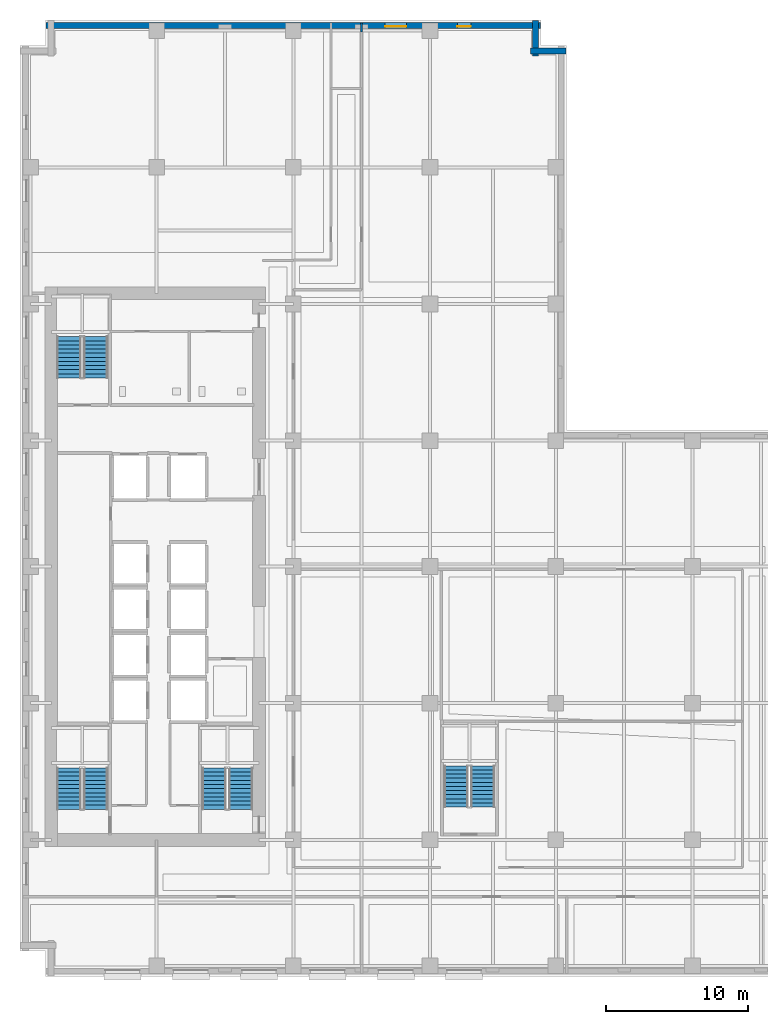
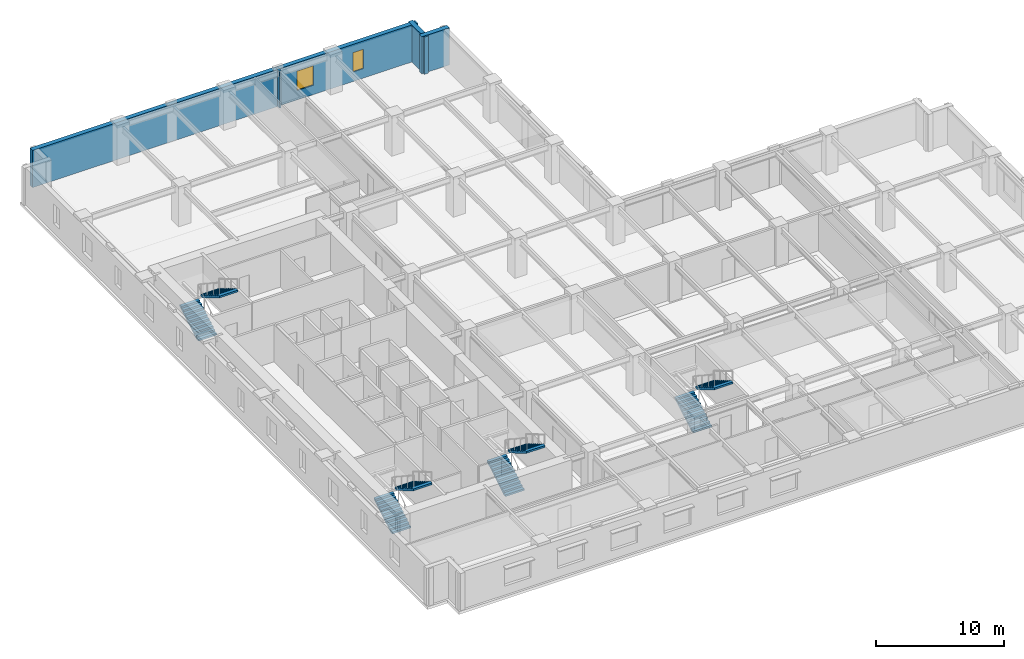
# One storey, part 9 of 14: 8 stair flights, 4 walls, 2 windows, 2 openings, 4 elements without a shape of their own.
"""IFC4 building model written with IfcOpenShell, lengths in metres."""

from ifc_helpers import new_model, si_unit, direction, frame, frame_2d, origin, place, context, subcontext, project, spatial, polyline, rectangle, outline, extrude, material, layer, layer_set, type_object, element, fill, aggregate, save


model = new_model("IFC4")

# Units and contexts
model_context = context("Model", 3, precision=1e-05, world=origin(), true_north=direction((0.0, 1.0)))
body_context = subcontext(model_context, "Body", "Model", "MODEL_VIEW")
ifc_project = project(units=[si_unit("LENGTHUNIT", "METRE"), si_unit("AREAUNIT", "SQUARE_METRE"), si_unit("VOLUMEUNIT", "CUBIC_METRE"), si_unit("PLANEANGLEUNIT", "RADIAN"), si_unit("MASSUNIT", "GRAM", prefix="KILO")], contexts=[model_context])

# Site, building, storey
site_placement = place(None, origin())
site = spatial("IfcSite", under=ifc_project, at=site_placement, CompositionType="ELEMENT")
building_placement = place(site_placement, origin())
building = spatial("IfcBuilding", under=site, at=building_placement, Name="Norrvale University Quadrangle", CompositionType="ELEMENT")
storey_placement = place(building_placement, frame((0.0, 0.0, 73.60009765625)))
storey = spatial("IfcBuildingStorey", under=building, at=storey_placement, Name="L18", CompositionType="ELEMENT", Elevation=73.60009765625)

# Walls
ifc_material_1 = material(Name="Fire-Rated Gypsum Stud Partition")
ifc_layer_1 = layer(ifc_material_1, 0.14990234375, Name="Fire-Rated Gypsum Stud Partition")
ifc_layer_set_1 = layer_set([ifc_layer_1], Name="Fire-Rated Gypsum Stud Partition")
wall_type_1 = type_object("IfcWallType", Name="Wall Gypsum Corridor 150", PredefinedType="PARTITIONING", material=ifc_layer_set_1)
wall_1_placement = place(storey_placement, frame((24.0, 66.343994140625, 0.0), z_axis=(0.0, 0.0, 1.0), x_axis=(0.0, 1.0, 0.0)))
element("IfcWall", 1, at=wall_1_placement, inside=storey, type_object=wall_type_1, Name="Interior Partition WL-L18-NECW-B2", PredefinedType="PARTITIONING", context=body_context, shape_type="SweptSolid", body=[
    extrude(rectangle(XDim=0.635986328125, YDim=0.14990234375, at=frame_2d((0.31787109375, 0.0))), origin(), (0.0, 0.0, 1.0), 3.539794921875),
])
ifc_material_2 = material(Name="Red Manganese Brick Masonry", Category="masonry")
ifc_layer_2 = layer(ifc_material_2, 0.39990234375, Name="Red Manganese Brick Masonry")
ifc_layer_set_2 = layer_set([ifc_layer_2], Name="Red Manganese Brick Masonry")
wall_type_2 = type_object("IfcWallType", Name="Wall Red Brick 400", PredefinedType="SOLIDWALL", material=ifc_layer_set_2)
wall_2_placement = place(storey_placement, frame((38.360107421875, 65.02001953125, 0.0), z_axis=(0.0, 0.0, 1.0), x_axis=(-1.0, 0.0, 0.0)))
element("IfcWall", 2, at=wall_2_placement, inside=storey, type_object=wall_type_2, Name="Exterior Brick Facade Wall L18-09.1", PredefinedType="SOLIDWALL", context=body_context, shape_type="SweptSolid", body=[
    extrude(rectangle(XDim=2.480224609375, YDim=0.39990234375, at=frame_2d((1.240234375, 0.0))), origin(), (0.0, 0.0, 1.0), 3.539794921875),
])
wall_3_placement = place(storey_placement, frame((36.219970703125, 64.679931640625, 0.0), z_axis=(0.0, 0.0, 1.0), x_axis=(0.0, 1.0, 0.0)))
element("IfcWall", 3, at=wall_3_placement, inside=storey, type_object=wall_type_2, Name="Exterior Brick Facade Wall L18-10.1", PredefinedType="SOLIDWALL", context=body_context, shape_type="SweptSolid", body=[
    extrude(rectangle(XDim=2.47998046875, YDim=0.39990234375, at=frame_2d((1.239990234375, 0.0))), origin(), (0.0, 0.0, 1.0), 3.539794921875),
])

# Wall, openings, windows
wall_4_placement = place(storey_placement, frame((36.56005859375, 66.820068359375, 0.0), z_axis=(0.0, 0.0, 1.0), x_axis=(-1.0, 0.0, 0.0)))
wall_4 = element("IfcWall", 4, at=wall_4_placement, inside=storey, type_object=wall_type_2, Name="Exterior Brick Facade Wall L18-11.1", PredefinedType="SOLIDWALL", context=body_context, shape_type="SweptSolid", body=[
    extrude(rectangle(XDim=34.719970703125, YDim=0.39990234375, at=frame_2d((17.35986328125, 0.0))), origin(), (0.0, 0.0, 1.0), 3.539794921875),
])
opening_1_placement = place(wall_4_placement, frame((4.885009765625, 0.0, 0.89990234375)))
opening_1 = element("IfcOpeningElement", 5, at=opening_1_placement, cuts=wall_4, Name="Opening W04", PredefinedType="OPENING", context=body_context, shape_type="SweptSolid", body=[
    extrude(rectangle(XDim=0.949951171875, YDim=1.85009765625, at=frame_2d((0.47509765625, 0.925048828125))), frame((0.0, 0.2119140625, 0.0), z_axis=(0.0, -1.0, 0.0), x_axis=(1.0, 0.0, 0.0)), (0.0, 0.0, 1.0), 0.423828125),
])
opening_2_placement = place(wall_4_placement, frame((9.409912109375, 0.0, 0.89990234375)))
opening_2 = element("IfcOpeningElement", 6, at=opening_2_placement, cuts=wall_4, Name="Opening W03", PredefinedType="OPENING", context=body_context, shape_type="SweptSolid", body=[
    extrude(rectangle(XDim=1.5, YDim=1.85009765625, at=frame_2d((0.75, 0.925048828125))), frame((0.0, 0.2119140625, 0.0), z_axis=(0.0, -1.0, 0.0), x_axis=(1.0, 0.0, 0.0)), (0.0, 0.0, 1.0), 0.423828125),
])
ifc_material_3 = material(Name="Triple Low-E Argon Glazing", Category="glass")
window_type_1 = type_object("IfcWindowType", Name="Window Narrow Pier 950x2300", PartitioningType="SINGLE_PANEL", PredefinedType="WINDOW", material=ifc_material_3)
window_1_placement = place(opening_1_placement, origin())
window_1 = element("IfcWindow", 7, at=window_1_placement, inside=storey, type_object=window_type_1, Name="Window Narrow Pier 950x2300 WIN-L18-E11-1-01", OverallHeight=1.85009765625, OverallWidth=0.949951171875, PartitioningType="SINGLE_PANEL", PredefinedType="WINDOW", context=body_context, shape_type="SweptSolid", body=[
    extrude(rectangle(XDim=0.949951171875, YDim=1.85009765625, at=frame_2d((0.47509765625, 0.925048828125))), frame((0.0, 0.110107421875, 0.0), z_axis=(0.0, -1.0, 0.0), x_axis=(1.0, 0.0, 0.0)), (0.0, 0.0, 1.0), 0.06005859375),
])
fill(opening_1, window_1)
window_type_2 = type_object("IfcWindowType", Name="Window Studio 1500x2300", PartitioningType="DOUBLE_PANEL_VERTICAL", PredefinedType="WINDOW", material=ifc_material_3)
window_2_placement = place(opening_2_placement, origin())
window_2 = element("IfcWindow", 8, at=window_2_placement, inside=storey, type_object=window_type_2, Name="Window Studio 1500x2300 WIN-L18-E11-1-02", OverallHeight=1.85009765625, OverallWidth=1.5, PartitioningType="DOUBLE_PANEL_VERTICAL", PredefinedType="WINDOW", context=body_context, shape_type="SweptSolid", body=[
    extrude(rectangle(XDim=1.5, YDim=1.85009765625, at=frame_2d((0.75, 0.925048828125))), frame((0.0, 0.110107421875, 0.0), z_axis=(0.0, -1.0, 0.0), x_axis=(1.0, 0.0, 0.0)), (0.0, 0.0, 1.0), 0.06005859375),
])
fill(opening_2, window_2)

# Stair, stair flights
ifc_material_4 = material(Name="Concrete C40/50", Category="concrete")
stair_type = type_object("IfcStairType", Name="Stair Tower Typ 3800", PredefinedType="TWO_STRAIGHT_RUN_STAIR", material=ifc_material_4)
stair_1_placement = place(storey_placement, origin())
stair_1 = element("IfcStair", 9, at=stair_1_placement, inside=storey, type_object=stair_type, Name="Exit Stair ST-01 L18", PredefinedType="TWO_STRAIGHT_RUN_STAIR")
stair_flight_type = type_object("IfcStairFlightType", Name="Flight Typ 1500", PredefinedType="STRAIGHT", material=ifc_material_4)
stair_flight_1_placement = place(storey_placement, frame((3.429931640625, 11.75, 0.0), z_axis=(0.0, 0.0, 1.0), x_axis=(0.0, 1.0, 0.0)))
stair_flight_1 = element("IfcStairFlight", 10, at=stair_flight_1_placement, type_object=stair_flight_type, Name="Exit Stair ST-01 L18 Lower Flight", NumberOfRisers=11, NumberOfTreads=10, PredefinedType="STRAIGHT", RiserHeight=0.172727, TreadLength=0.29, context=body_context, shape_type="SweptSolid", body=[
    extrude(outline(polyline([(0.0, 0.0), (0.0, 0.172607421875), (0.2900390625, 0.172607421875), (0.2900390625, 0.345458984375), (0.580078125, 0.345458984375), (0.580078125, 0.51806640625), (0.8701171875, 0.51806640625), (0.8701171875, 0.69091796875), (1.159912109375, 0.69091796875), (1.159912109375, 0.863525390625), (1.449951171875, 0.863525390625), (1.449951171875, 1.036376953125), (1.739990234375, 1.036376953125), (1.739990234375, 1.208984375), (2.030029296875, 1.208984375), (2.030029296875, 1.3818359375), (2.320068359375, 1.3818359375), (2.320068359375, 1.554443359375), (2.610107421875, 1.554443359375), (2.610107421875, 1.727294921875), (2.89990234375, 1.727294921875), (2.89990234375, 1.89990234375), (2.89990234375, 1.552734375), (0.29296875, 0.0), (0.0, 0.0)])), frame((0.0, 0.83984375, 0.0), z_axis=(0.0, -1.0, 0.0), x_axis=(1.0, 0.0, 0.0)), (0.0, 0.0, 1.0), 1.679931640625),
])
stair_flight_2_placement = place(storey_placement, frame((5.320068359375, 14.64990234375, 1.89990234375), z_axis=(0.0, 0.0, 1.0), x_axis=(0.0, -1.0, 0.0)))
stair_flight_2 = element("IfcStairFlight", 11, at=stair_flight_2_placement, type_object=stair_flight_type, Name="Exit Stair ST-01 L18 Upper Flight", NumberOfRisers=11, NumberOfTreads=10, PredefinedType="STRAIGHT", RiserHeight=0.172727, TreadLength=0.29, context=body_context, shape_type="SweptSolid", body=[
    extrude(outline(polyline([(0.0, 0.0), (0.0, 0.172607421875), (0.2900390625, 0.172607421875), (0.2900390625, 0.345458984375), (0.580078125, 0.345458984375), (0.580078125, 0.51806640625), (0.8701171875, 0.51806640625), (0.8701171875, 0.69091796875), (1.159912109375, 0.69091796875), (1.159912109375, 0.863525390625), (1.449951171875, 0.863525390625), (1.449951171875, 1.036376953125), (1.739990234375, 1.036376953125), (1.739990234375, 1.208984375), (2.030029296875, 1.208984375), (2.030029296875, 1.3818359375), (2.320068359375, 1.3818359375), (2.320068359375, 1.554443359375), (2.610107421875, 1.554443359375), (2.610107421875, 1.727294921875), (2.89990234375, 1.727294921875), (2.89990234375, 1.89990234375), (2.89990234375, 1.552734375), (0.29296875, 0.0), (0.0, 0.0)])), frame((0.0, 0.83984375, 0.0), z_axis=(0.0, -1.0, 0.0), x_axis=(1.0, 0.0, 0.0)), (0.0, 0.0, 1.0), 1.679931640625),
])
aggregate(stair_1, [stair_flight_1, stair_flight_2])

stair_2_placement = place(storey_placement, origin())
stair_2 = element("IfcStair", 12, at=stair_2_placement, inside=storey, type_object=stair_type, Name="Exit Stair ST-02 L18", PredefinedType="TWO_STRAIGHT_RUN_STAIR")
stair_flight_3_placement = place(storey_placement, frame((3.429931640625, 42.050048828125, 0.0), z_axis=(0.0, 0.0, 1.0), x_axis=(0.0, 1.0, 0.0)))
stair_flight_3 = element("IfcStairFlight", 13, at=stair_flight_3_placement, type_object=stair_flight_type, Name="Exit Stair ST-02 L18 Lower Flight", NumberOfRisers=11, NumberOfTreads=10, PredefinedType="STRAIGHT", RiserHeight=0.172727, TreadLength=0.29, context=body_context, shape_type="SweptSolid", body=[
    extrude(outline(polyline([(0.0, 0.0), (0.0, 0.172607421875), (0.2900390625, 0.172607421875), (0.2900390625, 0.345458984375), (0.580078125, 0.345458984375), (0.580078125, 0.51806640625), (0.8701171875, 0.51806640625), (0.8701171875, 0.69091796875), (1.159912109375, 0.69091796875), (1.159912109375, 0.863525390625), (1.449951171875, 0.863525390625), (1.449951171875, 1.036376953125), (1.739990234375, 1.036376953125), (1.739990234375, 1.208984375), (2.030029296875, 1.208984375), (2.030029296875, 1.3818359375), (2.320068359375, 1.3818359375), (2.320068359375, 1.554443359375), (2.610107421875, 1.554443359375), (2.610107421875, 1.727294921875), (2.89990234375, 1.727294921875), (2.89990234375, 1.89990234375), (2.89990234375, 1.552734375), (0.29296875, 0.0), (0.0, 0.0)])), frame((0.0, 0.83984375, 0.0), z_axis=(0.0, -1.0, 0.0), x_axis=(1.0, 0.0, 0.0)), (0.0, 0.0, 1.0), 1.679931640625),
])
stair_flight_4_placement = place(storey_placement, frame((5.320068359375, 44.949951171875, 1.89990234375), z_axis=(0.0, 0.0, 1.0), x_axis=(0.0, -1.0, 0.0)))
stair_flight_4 = element("IfcStairFlight", 14, at=stair_flight_4_placement, type_object=stair_flight_type, Name="Exit Stair ST-02 L18 Upper Flight", NumberOfRisers=11, NumberOfTreads=10, PredefinedType="STRAIGHT", RiserHeight=0.172727, TreadLength=0.29, context=body_context, shape_type="SweptSolid", body=[
    extrude(outline(polyline([(0.0, 0.0), (0.0, 0.172607421875), (0.2900390625, 0.172607421875), (0.2900390625, 0.345458984375), (0.580078125, 0.345458984375), (0.580078125, 0.51806640625), (0.8701171875, 0.51806640625), (0.8701171875, 0.69091796875), (1.159912109375, 0.69091796875), (1.159912109375, 0.863525390625), (1.449951171875, 0.863525390625), (1.449951171875, 1.036376953125), (1.739990234375, 1.036376953125), (1.739990234375, 1.208984375), (2.030029296875, 1.208984375), (2.030029296875, 1.3818359375), (2.320068359375, 1.3818359375), (2.320068359375, 1.554443359375), (2.610107421875, 1.554443359375), (2.610107421875, 1.727294921875), (2.89990234375, 1.727294921875), (2.89990234375, 1.89990234375), (2.89990234375, 1.552734375), (0.29296875, 0.0), (0.0, 0.0)])), frame((0.0, 0.83984375, 0.0), z_axis=(0.0, -1.0, 0.0), x_axis=(1.0, 0.0, 0.0)), (0.0, 0.0, 1.0), 1.679931640625),
])
aggregate(stair_2, [stair_flight_3, stair_flight_4])

stair_3_placement = place(storey_placement, origin())
stair_3 = element("IfcStair", 15, at=stair_3_placement, inside=storey, type_object=stair_type, Name="Exit Stair ST-03 L18", PredefinedType="TWO_STRAIGHT_RUN_STAIR")
stair_flight_5_placement = place(storey_placement, frame((13.6298828125, 11.75, 0.0), z_axis=(0.0, 0.0, 1.0), x_axis=(0.0, 1.0, 0.0)))
stair_flight_5 = element("IfcStairFlight", 16, at=stair_flight_5_placement, type_object=stair_flight_type, Name="Exit Stair ST-03 L18 Lower Flight", NumberOfRisers=11, NumberOfTreads=10, PredefinedType="STRAIGHT", RiserHeight=0.172727, TreadLength=0.29, context=body_context, shape_type="SweptSolid", body=[
    extrude(outline(polyline([(0.0, 0.0), (0.0, 0.172607421875), (0.2900390625, 0.172607421875), (0.2900390625, 0.345458984375), (0.580078125, 0.345458984375), (0.580078125, 0.51806640625), (0.8701171875, 0.51806640625), (0.8701171875, 0.69091796875), (1.159912109375, 0.69091796875), (1.159912109375, 0.863525390625), (1.449951171875, 0.863525390625), (1.449951171875, 1.036376953125), (1.739990234375, 1.036376953125), (1.739990234375, 1.208984375), (2.030029296875, 1.208984375), (2.030029296875, 1.3818359375), (2.320068359375, 1.3818359375), (2.320068359375, 1.554443359375), (2.610107421875, 1.554443359375), (2.610107421875, 1.727294921875), (2.89990234375, 1.727294921875), (2.89990234375, 1.89990234375), (2.89990234375, 1.552734375), (0.29296875, 0.0), (0.0, 0.0)])), frame((0.0, 0.83984375, 0.0), z_axis=(0.0, -1.0, 0.0), x_axis=(1.0, 0.0, 0.0)), (0.0, 0.0, 1.0), 1.679931640625),
])
stair_flight_6_placement = place(storey_placement, frame((15.52001953125, 14.64990234375, 1.89990234375), z_axis=(0.0, 0.0, 1.0), x_axis=(0.0, -1.0, 0.0)))
stair_flight_6 = element("IfcStairFlight", 17, at=stair_flight_6_placement, type_object=stair_flight_type, Name="Exit Stair ST-03 L18 Upper Flight", NumberOfRisers=11, NumberOfTreads=10, PredefinedType="STRAIGHT", RiserHeight=0.172727, TreadLength=0.29, context=body_context, shape_type="SweptSolid", body=[
    extrude(outline(polyline([(0.0, 0.0), (0.0, 0.172607421875), (0.2900390625, 0.172607421875), (0.2900390625, 0.345458984375), (0.580078125, 0.345458984375), (0.580078125, 0.51806640625), (0.8701171875, 0.51806640625), (0.8701171875, 0.69091796875), (1.159912109375, 0.69091796875), (1.159912109375, 0.863525390625), (1.449951171875, 0.863525390625), (1.449951171875, 1.036376953125), (1.739990234375, 1.036376953125), (1.739990234375, 1.208984375), (2.030029296875, 1.208984375), (2.030029296875, 1.3818359375), (2.320068359375, 1.3818359375), (2.320068359375, 1.554443359375), (2.610107421875, 1.554443359375), (2.610107421875, 1.727294921875), (2.89990234375, 1.727294921875), (2.89990234375, 1.89990234375), (2.89990234375, 1.552734375), (0.29296875, 0.0), (0.0, 0.0)])), frame((0.0, 0.83984375, 0.0), z_axis=(0.0, -1.0, 0.0), x_axis=(1.0, 0.0, 0.0)), (0.0, 0.0, 1.0), 1.679931640625),
])
aggregate(stair_3, [stair_flight_5, stair_flight_6])

stair_4_placement = place(storey_placement, origin())
stair_4 = element("IfcStair", 18, at=stair_4_placement, inside=storey, type_object=stair_type, Name="Exit Stair ST-04 L18", PredefinedType="TWO_STRAIGHT_RUN_STAIR")
stair_flight_7_placement = place(storey_placement, frame((30.6298828125, 11.89990234375, 0.0), z_axis=(0.0, 0.0, 1.0), x_axis=(0.0, 1.0, 0.0)))
stair_flight_7 = element("IfcStairFlight", 19, at=stair_flight_7_placement, type_object=stair_flight_type, Name="Exit Stair ST-04 L18 Lower Flight", NumberOfRisers=11, NumberOfTreads=10, PredefinedType="STRAIGHT", RiserHeight=0.172727, TreadLength=0.29, context=body_context, shape_type="SweptSolid", body=[
    extrude(outline(polyline([(0.0, 0.0), (0.0, 0.172607421875), (0.2900390625, 0.172607421875), (0.2900390625, 0.345458984375), (0.580078125, 0.345458984375), (0.580078125, 0.51806640625), (0.8701171875, 0.51806640625), (0.8701171875, 0.69091796875), (1.159912109375, 0.69091796875), (1.159912109375, 0.863525390625), (1.449951171875, 0.863525390625), (1.449951171875, 1.036376953125), (1.739990234375, 1.036376953125), (1.739990234375, 1.208984375), (2.030029296875, 1.208984375), (2.030029296875, 1.3818359375), (2.320068359375, 1.3818359375), (2.320068359375, 1.554443359375), (2.610107421875, 1.554443359375), (2.610107421875, 1.727294921875), (2.89990234375, 1.727294921875), (2.89990234375, 1.89990234375), (2.89990234375, 1.552734375), (0.29296875, 0.0), (0.0, 0.0)])), frame((0.0, 0.83984375, 0.0), z_axis=(0.0, -1.0, 0.0), x_axis=(1.0, 0.0, 0.0)), (0.0, 0.0, 1.0), 1.679931640625),
])
stair_flight_8_placement = place(storey_placement, frame((32.52001953125, 14.800048828125, 1.89990234375), z_axis=(0.0, 0.0, 1.0), x_axis=(0.0, -1.0, 0.0)))
stair_flight_8 = element("IfcStairFlight", 20, at=stair_flight_8_placement, type_object=stair_flight_type, Name="Exit Stair ST-04 L18 Upper Flight", NumberOfRisers=11, NumberOfTreads=10, PredefinedType="STRAIGHT", RiserHeight=0.172727, TreadLength=0.29, context=body_context, shape_type="SweptSolid", body=[
    extrude(outline(polyline([(0.0, 0.0), (0.0, 0.172607421875), (0.2900390625, 0.172607421875), (0.2900390625, 0.345458984375), (0.580078125, 0.345458984375), (0.580078125, 0.51806640625), (0.8701171875, 0.51806640625), (0.8701171875, 0.69091796875), (1.159912109375, 0.69091796875), (1.159912109375, 0.863525390625), (1.449951171875, 0.863525390625), (1.449951171875, 1.036376953125), (1.739990234375, 1.036376953125), (1.739990234375, 1.208984375), (2.030029296875, 1.208984375), (2.030029296875, 1.3818359375), (2.320068359375, 1.3818359375), (2.320068359375, 1.554443359375), (2.610107421875, 1.554443359375), (2.610107421875, 1.727294921875), (2.89990234375, 1.727294921875), (2.89990234375, 1.89990234375), (2.89990234375, 1.552734375), (0.29296875, 0.0), (0.0, 0.0)])), frame((0.0, 0.83984375, 0.0), z_axis=(0.0, -1.0, 0.0), x_axis=(1.0, 0.0, 0.0)), (0.0, 0.0, 1.0), 1.679931640625),
])
aggregate(stair_4, [stair_flight_7, stair_flight_8])

save(model, "model.ifc")
